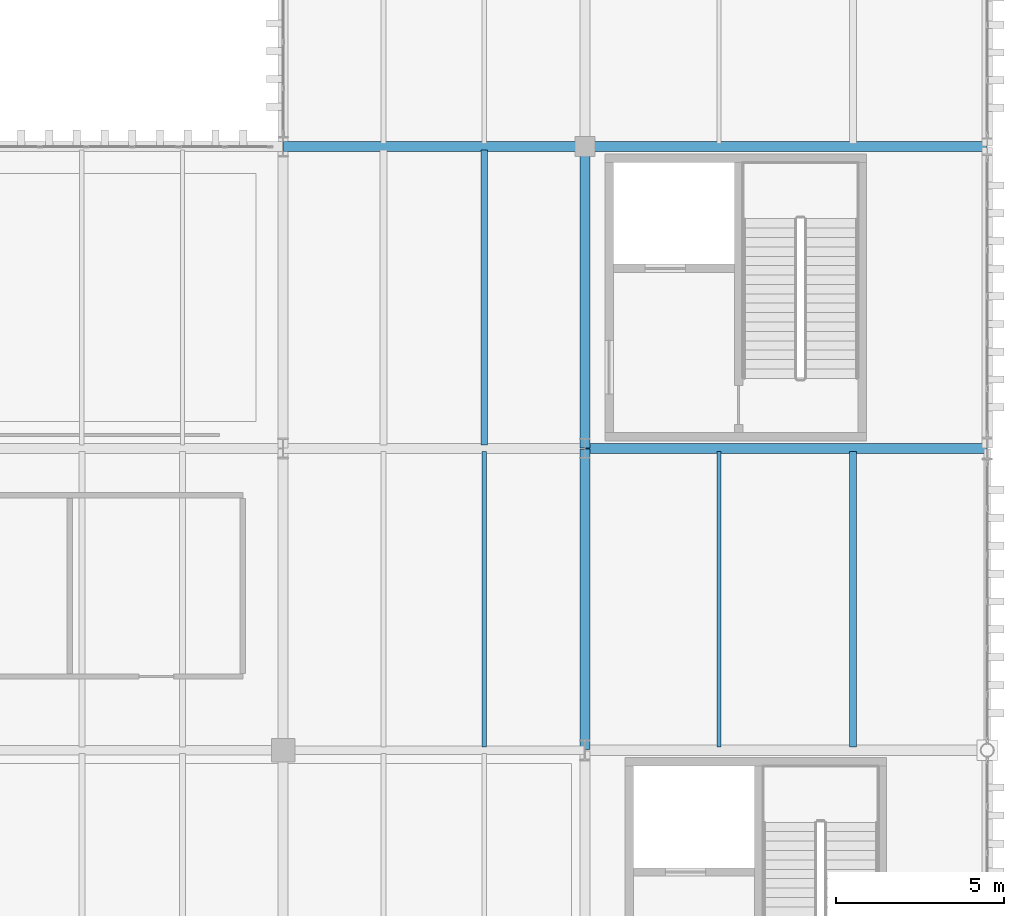
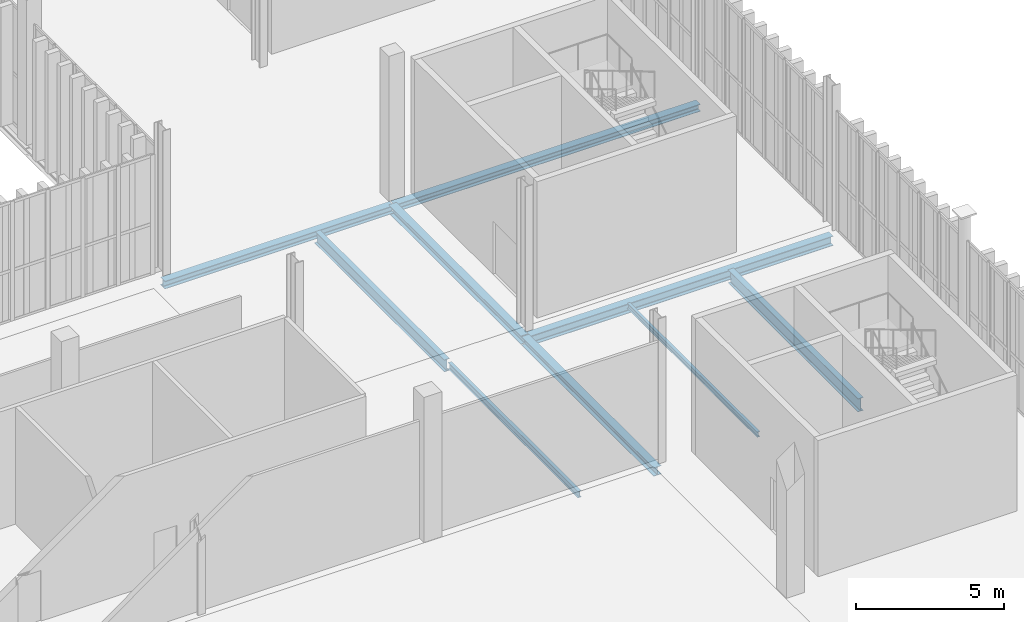
# One storey, part 100 of 211: 9 beams.
"""IFC4 building model written with IfcOpenShell, lengths in metres."""

from ifc_helpers import new_model, si_unit, direction, frame, origin, origin_2d, place, context, subcontext, project, spatial, i_section, extrude, material, material_profile, profile_set, type_object, element, save


model = new_model("IFC4")

# Units and contexts
model_context = context("Model", 3, precision=1e-05, world=origin(), true_north=direction((0.0, 1.0)))
body_context = subcontext(model_context, "Body", "Model", "MODEL_VIEW")
ifc_project = project(units=[si_unit("LENGTHUNIT", "METRE"), si_unit("AREAUNIT", "SQUARE_METRE"), si_unit("VOLUMEUNIT", "CUBIC_METRE"), si_unit("PLANEANGLEUNIT", "RADIAN"), si_unit("MASSUNIT", "GRAM", prefix="KILO")], contexts=[model_context])

# Site, building, storey
site_placement = place(None, origin())
site = spatial("IfcSite", under=ifc_project, at=site_placement, CompositionType="ELEMENT")
building_placement = place(site_placement, origin())
building = spatial("IfcBuilding", under=site, at=building_placement, Name="Barlavento Convention Centre", CompositionType="ELEMENT")
storey_placement = place(building_placement, frame((0.0, 0.0, 6.0)))
storey = spatial("IfcBuildingStorey", under=building, at=storey_placement, Name="L01", CompositionType="ELEMENT", Elevation=6.0)

# Beams
ifc_material = material(Name="Steel S355", Category="steel")
ifc_material_profile_1 = material_profile(ifc_material, i_section(OverallWidth=0.110107421875, OverallDepth=0.219970703125, WebThickness=0.005859375, FlangeThickness=0.00927734375, FilletRadius=0.011962890625, at=origin_2d()), Name="IPE 220")
ifc_profile_set_1 = profile_set([ifc_material_profile_1], Name="Steel S355")
beam_type_1 = type_object("IfcBeamType", Name="STR-BM-JST-IPE220", PredefinedType="JOIST", material=ifc_profile_set_1)
beam_1_placement = place(storey_placement, frame((184.0, 45.094970703125, -0.469970703125), z_axis=(0.0, 1.0, 0.0), x_axis=(-1.0, 0.0, 0.0)))
element("IfcBeam", 1, at=beam_1_placement, inside=storey, type_object=beam_type_1, Name="L01 composite floor joist SJ10", PredefinedType="JOIST", context=body_context, shape_type="SweptSolid", body=[
    extrude(i_section(OverallWidth=0.110107421875, OverallDepth=0.219970703125, WebThickness=0.005859375, FlangeThickness=0.00927734375, FilletRadius=0.011962890625, at=origin_2d()), origin(), (0.0, 0.0, 1.0), 8.81005859375),
])
ifc_material_profile_2 = material_profile(ifc_material, i_section(OverallWidth=0.135009765625, OverallDepth=0.27001953125, WebThickness=0.006591796875, FlangeThickness=0.01025390625, FilletRadius=0.014892578125, at=origin_2d()), Name="IPE 270")
ifc_profile_set_2 = profile_set([ifc_material_profile_2], Name="Steel S355")
beam_type_2 = type_object("IfcBeamType", Name="STR-BM-JST-IPE270", PredefinedType="JOIST", material=ifc_profile_set_2)
beam_2_placement = place(storey_placement, frame((177.0, 45.094970703125, -0.4951171875), z_axis=(0.0, 1.0, 0.0), x_axis=(-1.0, 0.0, 0.0)))
element("IfcBeam", 2, at=beam_2_placement, inside=storey, type_object=beam_type_2, Name="L01 composite floor joist SJ08", PredefinedType="JOIST", context=body_context, shape_type="SweptSolid", body=[
    extrude(i_section(OverallWidth=0.135009765625, OverallDepth=0.27001953125, WebThickness=0.006591796875, FlangeThickness=0.01025390625, FilletRadius=0.014892578125, at=origin_2d()), origin(), (0.0, 0.0, 1.0), 8.81005859375),
])
ifc_material_profile_3 = material_profile(ifc_material, i_section(OverallWidth=0.199951171875, OverallDepth=0.5, WebThickness=0.01025390625, FlangeThickness=0.01611328125, FilletRadius=0.02099609375, at=origin_2d()), Name="IPE 500")
ifc_profile_set_3 = profile_set([ifc_material_profile_3], Name="Steel S355")
beam_type_3 = type_object("IfcBeamType", Name="STR-BM-JST-IPE500", PredefinedType="JOIST", material=ifc_profile_set_3)
beam_3_placement = place(storey_placement, frame((177.0, 54.094970703125, -0.610107421875), z_axis=(0.0, 1.0, 0.0), x_axis=(-1.0, 0.0, 0.0)))
element("IfcBeam", 3, at=beam_3_placement, inside=storey, type_object=beam_type_3, Name="L01 composite floor joist SJ02", PredefinedType="JOIST", context=body_context, shape_type="SweptSolid", body=[
    extrude(i_section(OverallWidth=0.199951171875, OverallDepth=0.5, WebThickness=0.01025390625, FlangeThickness=0.01611328125, FilletRadius=0.02099609375, at=origin_2d()), origin(), (0.0, 0.0, 1.0), 8.81005859375),
])
ifc_material_profile_4 = material_profile(ifc_material, i_section(OverallWidth=0.2099609375, OverallDepth=0.550048828125, WebThickness=0.010986328125, FlangeThickness=0.01708984375, FilletRadius=0.02392578125, at=origin_2d()), Name="IPE 550")
ifc_profile_set_4 = profile_set([ifc_material_profile_4], Name="Steel S355")
beam_type_4 = type_object("IfcBeamType", Name="STR-BM-JST-IPE550", PredefinedType="JOIST", material=ifc_profile_set_4)
beam_4_placement = place(storey_placement, frame((188.0, 45.094970703125, -0.635009765625), z_axis=(0.0, 1.0, 0.0), x_axis=(-1.0, 0.0, 0.0)))
element("IfcBeam", 4, at=beam_4_placement, inside=storey, type_object=beam_type_4, Name="L01 composite floor joist SJ01", PredefinedType="JOIST", context=body_context, shape_type="SweptSolid", body=[
    extrude(i_section(OverallWidth=0.2099609375, OverallDepth=0.550048828125, WebThickness=0.010986328125, FlangeThickness=0.01708984375, FilletRadius=0.02392578125, at=origin_2d()), origin(), (0.0, 0.0, 1.0), 8.81005859375),
])
ifc_material_profile_5 = material_profile(ifc_material, i_section(OverallWidth=0.300048828125, OverallDepth=0.35009765625, WebThickness=0.010009765625, FlangeThickness=0.017578125, FilletRadius=0.027099609375, at=origin_2d()), Name="HEA 360")
ifc_profile_set_5 = profile_set([ifc_material_profile_5], Name="Steel S355")
beam_type_5 = type_object("IfcBeamType", Name="STR-BM-PRI-HEA360", PredefinedType="BEAM", material=ifc_profile_set_5)
for number, where, z_axis, x_axis, name in (
    (5, (180.0, 45.02001953125, -0.534912109375), (0.0, 1.0, 0.0), (-1.0, 0.0, 0.0), "L01 grid girder BG23"),
    (6, (180.0, 54.02001953125, -0.534912109375), (0.0, 1.0, 0.0), (-1.0, 0.0, 0.0), "L01 grid girder BG23"),
):
    element("IfcBeam", number, at=place(storey_placement, frame(where, z_axis=z_axis, x_axis=x_axis)), inside=storey, type_object=beam_type_5, Name=name, PredefinedType="BEAM", context=body_context, shape_type="SweptSolid", body=[
        extrude(i_section(OverallWidth=0.300048828125, OverallDepth=0.35009765625, WebThickness=0.010009765625, FlangeThickness=0.017578125, FilletRadius=0.027099609375, at=origin_2d()), origin(), (0.0, 0.0, 1.0), 8.9599609375),
    ])
ifc_material_profile_6 = material_profile(ifc_material, i_section(OverallWidth=0.300048828125, OverallDepth=0.300048828125, WebThickness=0.010986328125, FlangeThickness=0.01904296875, FilletRadius=0.027099609375, at=origin_2d()), Name="HEB 300")
ifc_profile_set_6 = profile_set([ifc_material_profile_6], Name="Steel S355")
beam_type_6 = type_object("IfcBeamType", Name="STR-BM-PRI-HEB300", PredefinedType="BEAM", material=ifc_profile_set_6)
beam_5_placement = place(storey_placement, frame((180.02001953125, 63.0, -0.510009765625), z_axis=(1.0, 0.0, 0.0), x_axis=(0.0, 1.0, 0.0)))
element("IfcBeam", 7, at=beam_5_placement, inside=storey, type_object=beam_type_6, Name="L01 primary girder BG14", PredefinedType="BEAM", context=body_context, shape_type="SweptSolid", body=[
    extrude(i_section(OverallWidth=0.300048828125, OverallDepth=0.300048828125, WebThickness=0.010986328125, FlangeThickness=0.01904296875, FilletRadius=0.027099609375, at=origin_2d()), origin(), (0.0, 0.0, 1.0), 11.9599609375),
])
ifc_material_profile_7 = material_profile(ifc_material, i_section(OverallWidth=0.300048828125, OverallDepth=0.320068359375, WebThickness=0.011474609375, FlangeThickness=0.0205078125, FilletRadius=0.027099609375, at=origin_2d()), Name="HEB 320")
ifc_profile_set_7 = profile_set([ifc_material_profile_7], Name="Steel S355")
beam_type_7 = type_object("IfcBeamType", Name="STR-BM-PRI-HEB320", PredefinedType="BEAM", material=ifc_profile_set_7)
beam_6_placement = place(storey_placement, frame((171.02001953125, 63.0, -0.52001953125), z_axis=(1.0, 0.0, 0.0), x_axis=(0.0, 1.0, 0.0)))
element("IfcBeam", 8, at=beam_6_placement, inside=storey, type_object=beam_type_7, Name="L01 primary girder BG13", PredefinedType="BEAM", context=body_context, shape_type="SweptSolid", body=[
    extrude(i_section(OverallWidth=0.300048828125, OverallDepth=0.320068359375, WebThickness=0.011474609375, FlangeThickness=0.0205078125, FilletRadius=0.027099609375, at=origin_2d()), origin(), (0.0, 0.0, 1.0), 8.9599609375),
])
ifc_material_profile_8 = material_profile(ifc_material, i_section(OverallWidth=0.300048828125, OverallDepth=0.39990234375, WebThickness=0.013427734375, FlangeThickness=0.02392578125, FilletRadius=0.027099609375, at=origin_2d()), Name="HEB 400")
ifc_profile_set_8 = profile_set([ifc_material_profile_8], Name="Steel S355")
beam_type_8 = type_object("IfcBeamType", Name="STR-BM-PRI-HEB400", PredefinedType="BEAM", material=ifc_profile_set_8)
beam_7_placement = place(storey_placement, frame((180.02001953125, 54.0, -0.56005859375), z_axis=(1.0, 0.0, 0.0), x_axis=(0.0, 1.0, 0.0)))
element("IfcBeam", 9, at=beam_7_placement, inside=storey, type_object=beam_type_8, Name="L01 primary girder BG11", PredefinedType="BEAM", context=body_context, shape_type="SweptSolid", body=[
    extrude(i_section(OverallWidth=0.300048828125, OverallDepth=0.39990234375, WebThickness=0.013427734375, FlangeThickness=0.02392578125, FilletRadius=0.027099609375, at=origin_2d()), origin(), (0.0, 0.0, 1.0), 11.9599609375),
])

save(model, "model.ifc")
